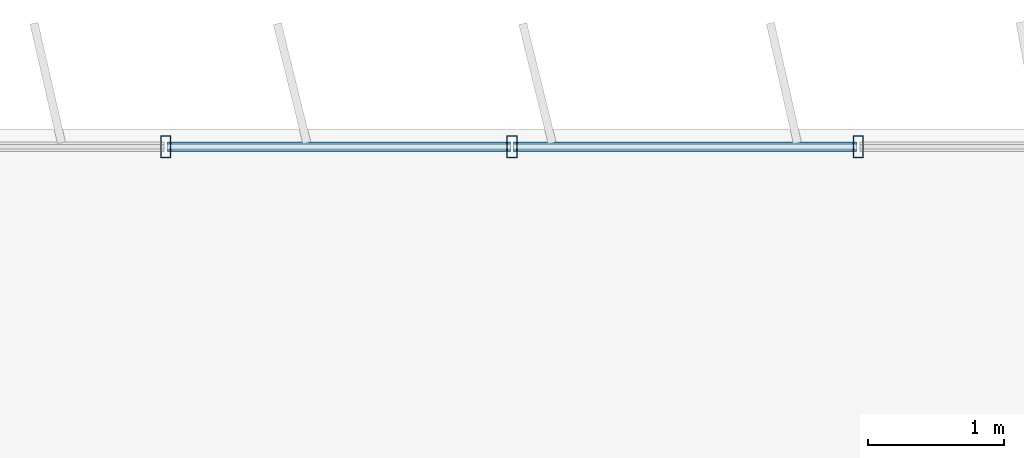
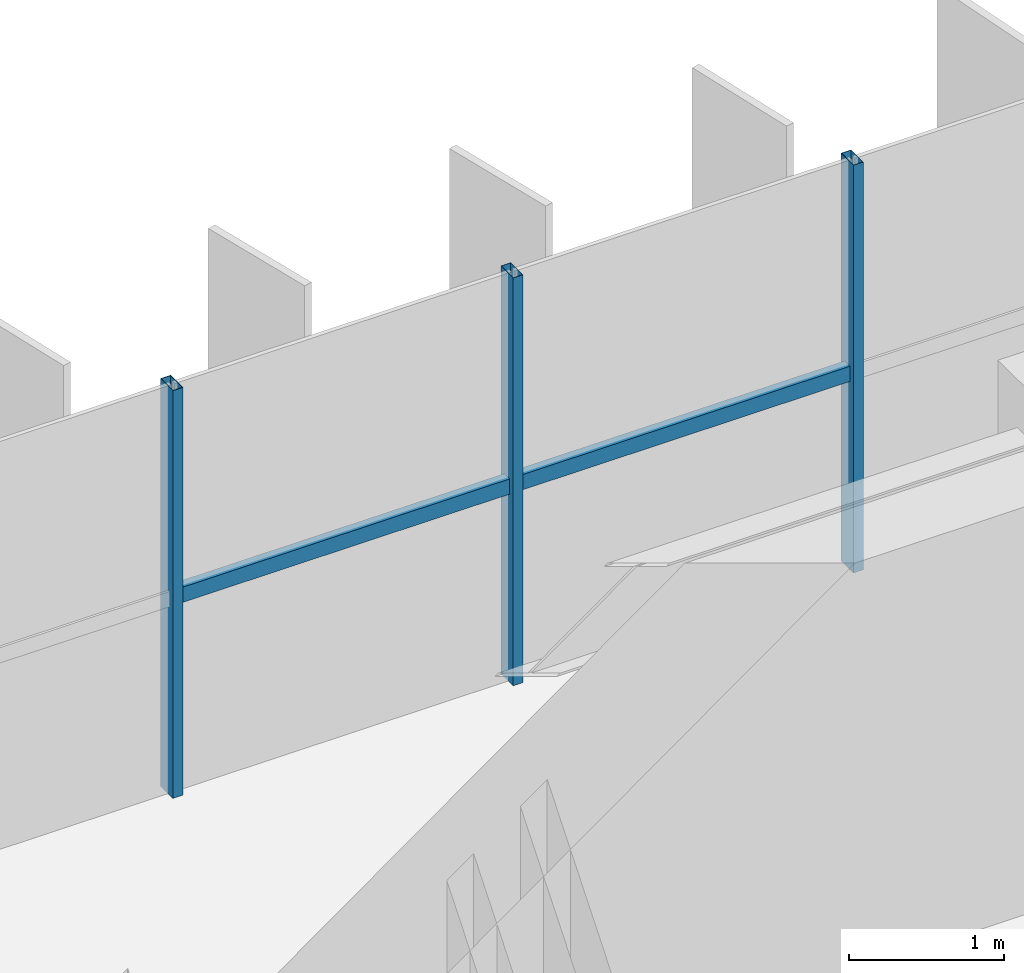
# One storey, part 9 of 24: 5 members, 1 element without a shape of its own.
"""IFC4 building model written with IfcOpenShell, lengths in metres."""

from ifc_helpers import new_model, si_unit, direction, frame, origin, origin_2d, place, context, subcontext, project, spatial, hollow_rectangle, extrude, source, transform, mapped, material, material_profile, profile_set, type_object, element, aggregate, save


model = new_model("IFC4")

# Units and contexts
model_context = context("Model", 3, precision=1e-05, world=origin(), true_north=direction((0.0, 1.0)))
body_context = subcontext(model_context, "Body", "Model", "MODEL_VIEW")
ifc_project = project(units=[si_unit("LENGTHUNIT", "METRE"), si_unit("AREAUNIT", "SQUARE_METRE"), si_unit("VOLUMEUNIT", "CUBIC_METRE"), si_unit("PLANEANGLEUNIT", "RADIAN"), si_unit("MASSUNIT", "GRAM", prefix="KILO")], contexts=[model_context])

# Site, building, storey
site_placement = place(None, origin())
site = spatial("IfcSite", under=ifc_project, at=site_placement, CompositionType="ELEMENT")
building_placement = place(site_placement, origin())
building = spatial("IfcBuilding", under=site, at=building_placement, Name="Trelvane Seafront Commons", CompositionType="ELEMENT")
storey_placement = place(building_placement, frame((0.0, 0.0, 178.89990234375)))
storey = spatial("IfcBuildingStorey", under=building, at=storey_placement, Name="L47", CompositionType="ELEMENT", Elevation=178.89990234375)

# Curtain wall, members
ifc_material = material(Name="Anodised pale-silver aluminium", Category="aluminium")
curtain_wall_type = type_object("IfcCurtainWallType", Name="ARCH-CW5-UPTOWER", PredefinedType="NOTDEFINED", material=ifc_material)
curtain_wall_placement = place(storey_placement, origin())
curtain_wall = element("IfcCurtainWall", 1, at=curtain_wall_placement, inside=storey, type_object=curtain_wall_type, Name="CW-L47-0075", PredefinedType="NOTDEFINED")
ifc_material_profile_1 = material_profile(ifc_material, hollow_rectangle(XDim=0.070068359375, YDim=0.1201171875, WallThickness=0.00390625, at=origin_2d()), Name="TRAN-70x120x4")
ifc_profile_set_1 = profile_set([ifc_material_profile_1], Name="Anodised pale-silver aluminium")
member_type_1 = type_object("IfcMemberType", Name="ARCH-CW-TRAN-120", PredefinedType="USERDEFINED", material=ifc_profile_set_1)
shared_shape_1 = source(origin(), body_context, "Body", "SweptSolid", [
    extrude(hollow_rectangle(XDim=0.070068359375, YDim=0.1201171875, WallThickness=0.00390625, at=origin_2d()), origin(), (0.0, 0.0, 1.0), 2.517333984375),
])
member_1_placement = place(storey_placement, frame((25.776611328125, 48.3701171875, 1.546142578125), z_axis=(1.0, 0.0, 0.0), x_axis=(0.0, 1.0, 0.0)))
member_1 = element("IfcMember", 2, at=member_1_placement, type_object=member_type_1, Name="CW-L47-0075-T04", ObjectType="TRANSOM", PredefinedType="USERDEFINED", context=body_context, shape_type="MappedRepresentation", body=[
    mapped(shared_shape_1, transform((0.0, 0.0, 0.0), x_axis=(1.0, 0.0, 0.0), y_axis=(0.0, 1.0, 0.0), z_axis=(0.0, 0.0, 1.0), scale=1.0)),
])
member_2_placement = place(storey_placement, frame((28.31787109375, 48.3701171875, 1.546142578125), z_axis=(1.0, 0.0, 0.0), x_axis=(0.0, 1.0, 0.0)))
member_2 = element("IfcMember", 3, at=member_2_placement, type_object=member_type_1, Name="CW-L47-0075-T05", ObjectType="TRANSOM", PredefinedType="USERDEFINED", context=body_context, shape_type="MappedRepresentation", body=[
    mapped(shared_shape_1, transform((0.0, 0.0, 0.0), x_axis=(1.0, 0.0, 0.0), y_axis=(0.0, 1.0, 0.0), z_axis=(0.0, 0.0, 1.0), scale=1.0)),
])
ifc_material_profile_2 = material_profile(ifc_material, hollow_rectangle(XDim=0.074951171875, YDim=0.159912109375, WallThickness=0.00390625, at=origin_2d()), Name="MULL-75x160x4")
ifc_profile_set_2 = profile_set([ifc_material_profile_2], Name="Anodised pale-silver aluminium")
member_type_2 = type_object("IfcMemberType", Name="ARCH-CW-MULL-160", PredefinedType="MULLION", material=ifc_profile_set_2)
shared_shape_2 = source(origin(), body_context, "Body", "SweptSolid", [
    extrude(hollow_rectangle(XDim=0.074951171875, YDim=0.159912109375, WallThickness=0.00390625, at=origin_2d()), origin(), (0.0, 0.0, 1.0), 3.22021484375),
])
member_3_placement = place(storey_placement, frame((25.7646484375, 48.3701171875, 0.0), z_axis=(0.0, 0.0, 1.0), x_axis=(1.0, 0.0, 0.0)))
member_3 = element("IfcMember", 4, at=member_3_placement, type_object=member_type_2, Name="CW-L47-0075-M04", PredefinedType="MULLION", context=body_context, shape_type="MappedRepresentation", body=[
    mapped(shared_shape_2, transform((0.0, 0.0, 0.0), x_axis=(1.0, 0.0, 0.0), y_axis=(0.0, 1.0, 0.0), z_axis=(0.0, 0.0, 1.0), scale=1.0)),
])
member_4_placement = place(storey_placement, frame((28.305908203125, 48.3701171875, 0.0), z_axis=(0.0, 0.0, 1.0), x_axis=(1.0, 0.0, 0.0)))
member_4 = element("IfcMember", 5, at=member_4_placement, type_object=member_type_2, Name="CW-L47-0075-M05", PredefinedType="MULLION", context=body_context, shape_type="MappedRepresentation", body=[
    mapped(shared_shape_2, transform((0.0, 0.0, 0.0), x_axis=(1.0, 0.0, 0.0), y_axis=(0.0, 1.0, 0.0), z_axis=(0.0, 0.0, 1.0), scale=1.0)),
])
member_5_placement = place(storey_placement, frame((30.84716796875, 48.3701171875, 0.0), z_axis=(0.0, 0.0, 1.0), x_axis=(1.0, 0.0, 0.0)))
member_5 = element("IfcMember", 6, at=member_5_placement, type_object=member_type_2, Name="CW-L47-0075-M06", PredefinedType="MULLION", context=body_context, shape_type="MappedRepresentation", body=[
    mapped(shared_shape_2, transform((0.0, 0.0, 0.0), x_axis=(1.0, 0.0, 0.0), y_axis=(0.0, 1.0, 0.0), z_axis=(0.0, 0.0, 1.0), scale=1.0)),
])
aggregate(curtain_wall, [member_3, member_4, member_5, member_1, member_2])

save(model, "model.ifc")
